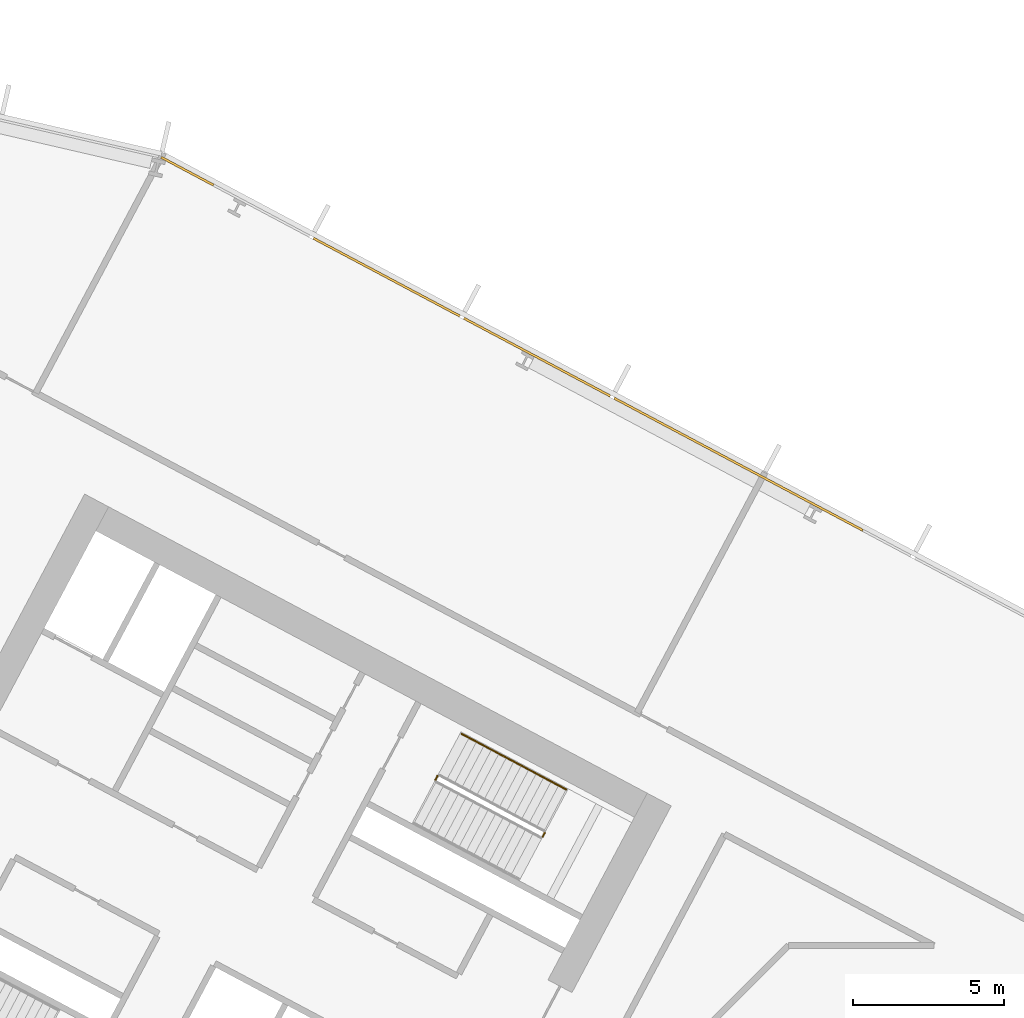
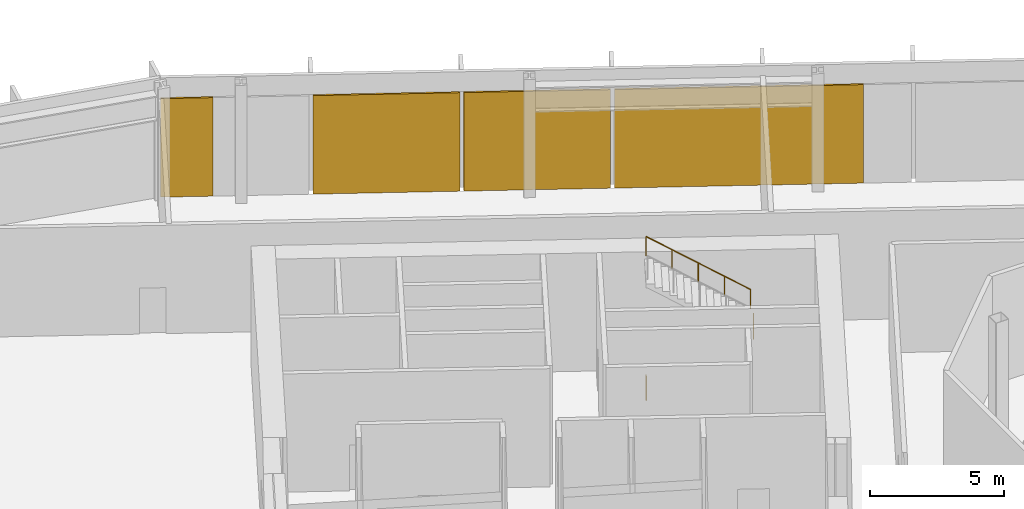
# One storey, part 25 of 32: 4 coverings, 3 railings, 1 element without a shape of its own.
"""IFC4 building model written with IfcOpenShell, lengths in metres."""

from ifc_helpers import new_model, si_unit, direction, frame, origin, origin_2d, place, context, subcontext, project, spatial, polyline, rectangle, outline, extrude, material, layer, layer_set, type_object, element, aggregate, save


model = new_model("IFC4")

# Units and contexts
model_context = context("Model", 3, precision=1e-05, world=origin(), true_north=direction((0.0, 1.0)))
body_context = subcontext(model_context, "Body", "Model", "MODEL_VIEW")
ifc_project = project(units=[si_unit("LENGTHUNIT", "METRE"), si_unit("AREAUNIT", "SQUARE_METRE"), si_unit("VOLUMEUNIT", "CUBIC_METRE"), si_unit("PLANEANGLEUNIT", "RADIAN"), si_unit("MASSUNIT", "GRAM", prefix="KILO")], contexts=[model_context])

# Site, building, storey
site_placement = place(None, origin())
site = spatial("IfcSite", under=ifc_project, at=site_placement, CompositionType="ELEMENT")
building_placement = place(site_placement, origin())
building = spatial("IfcBuilding", under=site, at=building_placement, Name="Cormorant Relay Tower", CompositionType="ELEMENT")
storey_placement = place(building_placement, frame((0.0, 0.0, 28.39990234375)))
storey = spatial("IfcBuildingStorey", under=building, at=storey_placement, Name="L05", CompositionType="ELEMENT", Elevation=28.39990234375)

# Curtain wall, coverings
ifc_material_1 = material(Name="Aluminium 6063-T6 anodised bronze", Category="aluminium")
ifc_layer_1 = layer(ifc_material_1, 0.235107421875)
ifc_layer_set_1 = layer_set([ifc_layer_1], Name="CW6 data hall curtain wall with mineral wool panels")
curtain_wall_type = type_object("IfcCurtainWallType", Name="CW6 data hall curtain wall with mineral wool panels", PredefinedType="NOTDEFINED", material=ifc_layer_set_1)
curtain_wall_placement = place(storey_placement, origin())
curtain_wall = element("IfcCurtainWall", 1, at=curtain_wall_placement, inside=storey, type_object=curtain_wall_type, Name="CW6 curtain wall 7", PredefinedType="NOTDEFINED")
ifc_material_2 = material(Name="Mineral wool cored anodised bronze aluminium cassette panel", Category="aluminium")
ifc_layer_2 = layer(ifc_material_2, 0.074951171875)
ifc_layer_set_2 = layer_set([ifc_layer_2], Name="CW6 mineral wool cassette panel 75")
covering_type = type_object("IfcCoveringType", Name="CW6 mineral wool cassette panel 75", PredefinedType="CLADDING", material=ifc_layer_set_2)
covering_1_placement = place(storey_placement, frame((-10.735107421875, 29.5341796875, 0.0), z_axis=(0.0, 0.0, 1.0), x_axis=(-0.882947592859, 0.469471562786, 0.0)))
covering_1 = element("IfcCovering", 2, at=covering_1_placement, type_object=covering_type, Name="CW6 panel S02", PredefinedType="CLADDING", context=body_context, shape_type="SweptSolid", body=[
    extrude(rectangle(XDim=9.327880859375, YDim=0.074951171875, at=origin_2d()), origin(), (0.0, 0.0, 1.0), 4.5),
])
covering_2_placement = place(storey_placement, frame((-17.40869140625, 33.082763671875, 0.0), z_axis=(0.0, 0.0, 1.0), x_axis=(-0.882947592859, 0.469471562786, 0.0)))
covering_2 = element("IfcCovering", 3, at=covering_2_placement, type_object=covering_type, Name="CW6 panel S03", PredefinedType="CLADDING", context=body_context, shape_type="SweptSolid", body=[
    extrude(rectangle(XDim=5.489013671875, YDim=0.074951171875, at=origin_2d()), origin(), (0.0, 0.0, 1.0), 4.5),
])
covering_3_placement = place(storey_placement, frame((-22.3876953125, 35.730224609375, 0.0), z_axis=(0.0, 0.0, 1.0), x_axis=(-0.882947592859, 0.469471562786, 0.0)))
covering_3 = element("IfcCovering", 4, at=covering_3_placement, type_object=covering_type, Name="CW6 panel S04", PredefinedType="CLADDING", context=body_context, shape_type="SweptSolid", body=[
    extrude(rectangle(XDim=5.489013671875, YDim=0.074951171875, at=origin_2d()), origin(), (0.0, 0.0, 1.0), 4.5),
])
covering_4_placement = place(storey_placement, frame((-28.989013671875, 39.240234375, 0.0), z_axis=(0.0, 0.0, 1.0), x_axis=(-0.882947592859, 0.469471562786, 0.0)))
covering_4 = element("IfcCovering", 5, at=covering_4_placement, type_object=covering_type, Name="CW6 panel S06", PredefinedType="CLADDING", context=body_context, shape_type="SweptSolid", body=[
    extrude(rectangle(XDim=1.964111328125, YDim=0.074951171875, at=origin_2d()), origin(), (0.0, 0.0, 1.0), 4.5),
])
aggregate(curtain_wall, [covering_1, covering_2, covering_3, covering_4])

# Railings
ifc_material_3 = material(Name="Steel ASTM A572 Grade 50 (Fy 345 MPa)", Category="steel")
railing_type_1 = type_object("IfcRailingType", Name="Stair guard 1100", PredefinedType="GUARDRAIL", material=ifc_material_3)
railing_1_placement = place(storey_placement, frame((-17.2216796875, 17.1982421875, 2.7001953125)))
element("IfcRailing", 6, at=railing_1_placement, inside=storey, type_object=railing_type_1, Name="L05 A1 stair guard 2", PredefinedType="GUARDRAIL", context=body_context, shape_type="SweptSolid", body=[
    extrude(outline(polyline([(0.022216796875, 0.00927734375), (0.00927734375, 0.022216796875), (-0.00927734375, 0.022216796875), (-0.022216796875, 0.00927734375), (-0.022216796875, -0.00927734375), (-0.00927734375, -0.022216796875), (0.00927734375, -0.022216796875), (0.022216796875, -0.00927734375), (0.022216796875, 0.00927734375)])), frame((0.0, 0.0, 1.076171875), z_axis=(0.469234640946, 0.883073525669, 0.0), x_axis=(-0.883073525669, 0.469234640946, 0.0)), (0.0, 0.0, 1.0), 0.14990234375),
    extrude(outline(polyline([(0.019287109375, 0.008056640625), (0.008056640625, 0.019287109375), (-0.008056640625, 0.019287109375), (-0.019287109375, 0.008056640625), (-0.019287109375, -0.008056640625), (-0.008056640625, -0.019287109375), (0.008056640625, -0.019287109375), (0.019287109375, -0.008056640625), (0.019287109375, 0.008056640625)])), origin(), (0.0, 0.0, 1.0), 1.052001953125),
    extrude(outline(polyline([(0.019287109375, 0.008056640625), (0.008056640625, 0.019287109375), (-0.008056640625, 0.019287109375), (-0.019287109375, 0.008056640625), (-0.019287109375, -0.008056640625), (-0.008056640625, -0.019287109375), (0.008056640625, -0.019287109375), (0.019287109375, -0.008056640625), (0.019287109375, 0.008056640625)])), frame((0.0703125, 0.13232421875, 0.0)), (0.0, 0.0, 1.0), 1.052001953125),
])
railing_2_placement = place(storey_placement, frame((-20.771240234375, 19.08544921875, 0.0)))
element("IfcRailing", 7, at=railing_2_placement, inside=storey, type_object=railing_type_1, Name="L05 A1 stair guard 4", PredefinedType="GUARDRAIL", context=body_context, shape_type="SweptSolid", body=[
    extrude(outline(polyline([(0.022216796875, 0.00927734375), (0.00927734375, 0.022216796875), (-0.00927734375, 0.022216796875), (-0.022216796875, 0.00927734375), (-0.022216796875, -0.00927734375), (-0.00927734375, -0.022216796875), (0.00927734375, -0.022216796875), (0.022216796875, -0.00927734375), (0.022216796875, 0.00927734375)])), frame((0.0, 0.0, 1.076171875), z_axis=(0.469828648786, 0.882757634224, 0.0), x_axis=(-0.882757634224, 0.469828648786, 0.0)), (0.0, 0.0, 1.0), 0.150146484375),
    extrude(outline(polyline([(0.019287109375, 0.008056640625), (0.008056640625, 0.019287109375), (-0.008056640625, 0.019287109375), (-0.019287109375, 0.008056640625), (-0.019287109375, -0.008056640625), (-0.008056640625, -0.019287109375), (0.008056640625, -0.019287109375), (0.019287109375, -0.008056640625), (0.019287109375, 0.008056640625)])), origin(), (0.0, 0.0, 1.0), 1.052001953125),
    extrude(outline(polyline([(0.019287109375, 0.008056640625), (0.008056640625, 0.019287109375), (-0.008056640625, 0.019287109375), (-0.019287109375, 0.008056640625), (-0.019287109375, -0.008056640625), (-0.008056640625, -0.019287109375), (0.008056640625, -0.019287109375), (0.019287109375, -0.008056640625), (0.019287109375, 0.008056640625)])), frame((0.070556640625, 0.132568359375, 0.0)), (0.0, 0.0, 1.0), 1.052001953125),
])
ifc_material_4 = material(Name="Steel ASTM A572 Grade 50 (Fy 345 MPa)", Category="steel")
railing_type_2 = type_object("IfcRailingType", Name="Stair handrail 900", PredefinedType="HANDRAIL", material=ifc_material_4)
railing_3_placement = place(storey_placement, frame((-16.4443359375, 18.766845703125, 2.880126953125)))
element("IfcRailing", 8, at=railing_3_placement, inside=storey, type_object=railing_type_2, Name="L05 A1 stair handrail 2", PredefinedType="HANDRAIL", context=body_context, shape_type="SweptSolid", body=[
    extrude(outline(polyline([(0.022216796875, 0.00927734375), (0.00927734375, 0.022216796875), (-0.00927734375, 0.022216796875), (-0.022216796875, 0.00927734375), (-0.022216796875, -0.00927734375), (-0.00927734375, -0.022216796875), (0.00927734375, -0.022216796875), (0.022216796875, -0.00927734375), (0.022216796875, 0.00927734375)])), frame((0.0, 0.0, 0.8759765625), z_axis=(-0.74271721126, 0.394907409077, 0.540758062681), x_axis=(-0.469469396681, -0.882948744594, 0.0)), (0.0, 0.0, 1.0), 4.66015625),
    extrude(outline(polyline([(0.019287109375, 0.008056640625), (0.008056640625, 0.019287109375), (-0.008056640625, 0.019287109375), (-0.019287109375, 0.008056640625), (-0.019287109375, -0.008056640625), (-0.008056640625, -0.019287109375), (0.008056640625, -0.019287109375), (0.019287109375, -0.008056640625), (0.019287109375, 0.008056640625)])), origin(), (0.0, 0.0, 1.0), 0.851806640625),
    extrude(outline(polyline([(0.019287109375, 0.008056640625), (0.008056640625, 0.019287109375), (-0.008056640625, 0.019287109375), (-0.019287109375, 0.008056640625), (-0.019287109375, -0.008056640625), (-0.008056640625, -0.019287109375), (0.008056640625, -0.019287109375), (0.019287109375, -0.008056640625), (0.019287109375, 0.008056640625)])), frame((-0.865234375, 0.4599609375, 0.6298828125)), (0.0, 0.0, 1.0), 0.851806640625),
    extrude(outline(polyline([(0.019287109375, 0.008056640625), (0.008056640625, 0.019287109375), (-0.008056640625, 0.019287109375), (-0.019287109375, 0.008056640625), (-0.019287109375, -0.008056640625), (-0.008056640625, -0.019287109375), (0.008056640625, -0.019287109375), (0.019287109375, -0.008056640625), (0.019287109375, 0.008056640625)])), frame((-1.73046875, 0.920166015625, 1.260009765625)), (0.0, 0.0, 1.0), 0.851806640625),
    extrude(outline(polyline([(0.019287109375, 0.008056640625), (0.008056640625, 0.019287109375), (-0.008056640625, 0.019287109375), (-0.019287109375, 0.008056640625), (-0.019287109375, -0.008056640625), (-0.008056640625, -0.019287109375), (0.008056640625, -0.019287109375), (0.019287109375, -0.008056640625), (0.019287109375, 0.008056640625)])), frame((-2.595947265625, 1.38037109375, 1.89013671875)), (0.0, 0.0, 1.0), 0.851806640625),
    extrude(outline(polyline([(0.019287109375, 0.008056640625), (0.008056640625, 0.019287109375), (-0.008056640625, 0.019287109375), (-0.019287109375, 0.008056640625), (-0.019287109375, -0.008056640625), (-0.008056640625, -0.019287109375), (0.008056640625, -0.019287109375), (0.019287109375, -0.008056640625), (0.019287109375, 0.008056640625)])), frame((-3.461181640625, 1.84033203125, 2.52001953125)), (0.0, 0.0, 1.0), 0.851806640625),
])

save(model, "model.ifc")
